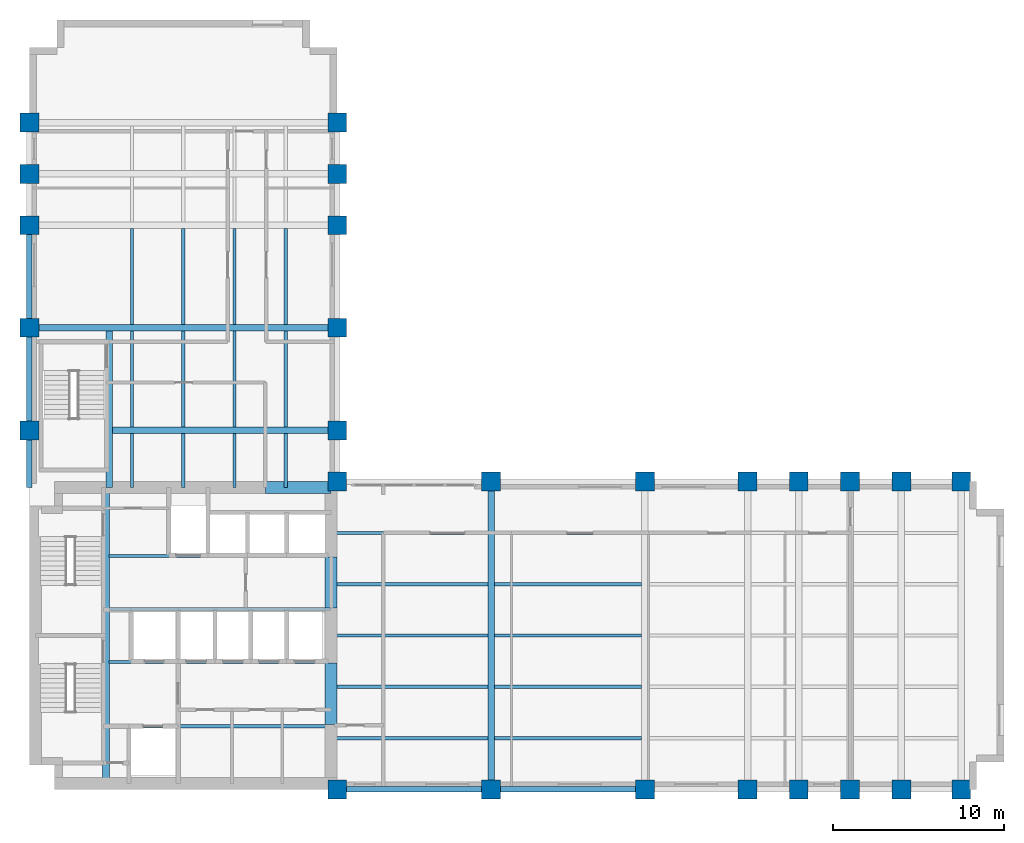
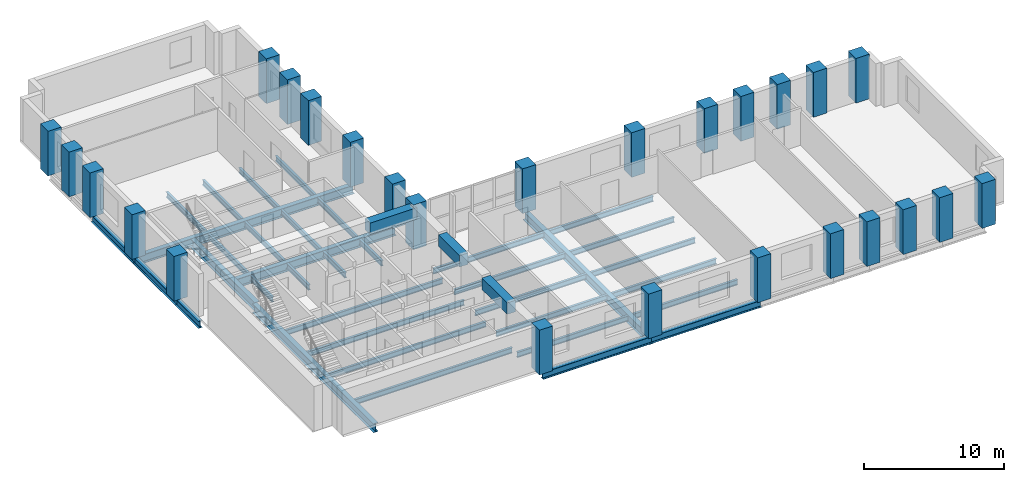
# One storey, part 1 of 8: 39 beams, 26 columns.
"""IFC4 building model written with IfcOpenShell, lengths in metres."""

from ifc_helpers import new_model, si_unit, direction, frame, origin, origin_2d, place, context, subcontext, project, spatial, rectangle, i_section, extrude, material, material_profile, profile_set, type_object, element, save


model = new_model("IFC4")

# Units and contexts
model_context = context("Model", 3, precision=1e-05, world=origin(), true_north=direction((0.0, 1.0)))
body_context = subcontext(model_context, "Body", "Model", "MODEL_VIEW")
ifc_project = project(units=[si_unit("LENGTHUNIT", "METRE"), si_unit("AREAUNIT", "SQUARE_METRE"), si_unit("VOLUMEUNIT", "CUBIC_METRE"), si_unit("PLANEANGLEUNIT", "RADIAN"), si_unit("MASSUNIT", "GRAM", prefix="KILO")], contexts=[model_context])

# Site, building, storey
site_placement = place(None, origin())
site = spatial("IfcSite", under=ifc_project, at=site_placement, CompositionType="ELEMENT")
building_placement = place(site_placement, origin())
building = spatial("IfcBuilding", under=site, at=building_placement, Name="Mawjdan Bourse Tower", CompositionType="ELEMENT")
storey_placement = place(building_placement, frame((0.0, 0.0, 101.10009765625)))
storey = spatial("IfcBuildingStorey", under=building, at=storey_placement, Name="L23", CompositionType="ELEMENT", Elevation=101.10009765625)

# Columns
ifc_material_1 = material(Name="Concrete C70/85", Category="concrete")
ifc_material_profile_1 = material_profile(ifc_material_1, rectangle(XDim=1.10009765625, YDim=1.10009765625, at=origin_2d()), Name="RC1100X1100")
ifc_profile_set_1 = profile_set([ifc_material_profile_1], Name="Concrete C70/85")
column_type = type_object("IfcColumnType", Name="COL-RC1100X1100", PredefinedType="COLUMN", material=ifc_profile_set_1)
for number, where, z_axis, x_axis, name in (
    (1, (24.0, 3.0, 0.0), (0.0, 0.0, 1.0), (1.0, 0.0, 0.0), "L23 Structural Column C-X240-Y30"),
    (2, (24.0, 21.0, 0.0), (0.0, 0.0, 1.0), (1.0, 0.0, 0.0), "L23 Structural Column C-X240-Y210"),
    (3, (33.0, 3.0, 0.0), (0.0, 0.0, 1.0), (1.0, 0.0, 0.0), "L23 Structural Column C-X330-Y30"),
    (4, (33.0, 21.0, 0.0), (0.0, 0.0, 1.0), (1.0, 0.0, 0.0), "L23 Structural Column C-X330-Y210"),
    (5, (42.0, 3.0, 0.0), (0.0, 0.0, 1.0), (1.0, 0.0, 0.0), "L23 Structural Column C-X420-Y30"),
    (6, (42.0, 21.0, 0.0), (0.0, 0.0, 1.0), (1.0, 0.0, 0.0), "L23 Structural Column C-X420-Y210"),
    (7, (48.0, 3.0, 0.0), (0.0, 0.0, 1.0), (1.0, 0.0, 0.0), "L23 Structural Column C-X480-Y30"),
    (8, (48.0, 21.0, 0.0), (0.0, 0.0, 1.0), (1.0, 0.0, 0.0), "L23 Structural Column C-X480-Y210"),
    (9, (51.0, 3.0, 0.0), (0.0, 0.0, 1.0), (1.0, 0.0, 0.0), "L23 Structural Column C-X510-Y30"),
    (10, (51.0, 21.0, 0.0), (0.0, 0.0, 1.0), (1.0, 0.0, 0.0), "L23 Structural Column C-X510-Y210"),
    (11, (54.0, 3.0, 0.0), (0.0, 0.0, 1.0), (1.0, 0.0, 0.0), "L23 Structural Column C-X540-Y30"),
    (12, (54.0, 21.0, 0.0), (0.0, 0.0, 1.0), (1.0, 0.0, 0.0), "L23 Structural Column C-X540-Y210"),
    (13, (57.0, 3.0, 0.0), (0.0, 0.0, 1.0), (1.0, 0.0, 0.0), "L23 Structural Column C-X570-Y30"),
    (14, (57.0, 21.0, 0.0), (0.0, 0.0, 1.0), (1.0, 0.0, 0.0), "L23 Structural Column C-X570-Y210"),
    (15, (60.5, 3.0, 0.0), (0.0, 0.0, 1.0), (1.0, 0.0, 0.0), "L23 Structural Column C-X605-Y30"),
    (16, (60.5, 21.0, 0.0), (0.0, 0.0, 1.0), (1.0, 0.0, 0.0), "L23 Structural Column C-X605-Y210"),
    (17, (6.0, 24.0, 0.0), (0.0, 0.0, 1.0), (1.0, 0.0, 0.0), "L23 Structural Column C-X60-Y240"),
    (18, (24.0, 24.0, 0.0), (0.0, 0.0, 1.0), (1.0, 0.0, 0.0), "L23 Structural Column C-X240-Y240"),
    (19, (6.0, 30.0, 0.0), (0.0, 0.0, 1.0), (1.0, 0.0, 0.0), "L23 Structural Column C-X60-Y300"),
    (20, (24.0, 30.0, 0.0), (0.0, 0.0, 1.0), (1.0, 0.0, 0.0), "L23 Structural Column C-X240-Y300"),
    (21, (6.0, 36.0, 0.0), (0.0, 0.0, 1.0), (1.0, 0.0, 0.0), "L23 Structural Column C-X60-Y360"),
    (22, (24.0, 36.0, 0.0), (0.0, 0.0, 1.0), (1.0, 0.0, 0.0), "L23 Structural Column C-X240-Y360"),
    (23, (6.0, 39.0, 0.0), (0.0, 0.0, 1.0), (1.0, 0.0, 0.0), "L23 Structural Column C-X60-Y390"),
    (24, (24.0, 39.0, 0.0), (0.0, 0.0, 1.0), (1.0, 0.0, 0.0), "L23 Structural Column C-X240-Y390"),
    (25, (6.0, 42.0, 0.0), (0.0, 0.0, 1.0), (1.0, 0.0, 0.0), "L23 Structural Column C-X60-Y420"),
    (26, (24.0, 42.0, 0.0), (0.0, 0.0, 1.0), (1.0, 0.0, 0.0), "L23 Structural Column C-X240-Y420"),
):
    element("IfcColumn", number, at=place(storey_placement, frame(where, z_axis=z_axis, x_axis=x_axis)), inside=storey, type_object=column_type, Name=name, PredefinedType="COLUMN", context=body_context, shape_type="SweptSolid", body=[
        extrude(rectangle(XDim=1.10009765625, YDim=1.10009765625, at=origin_2d()), origin(), (0.0, 0.0, 1.0), 3.89990234375),
    ])

# Beams
ifc_material_2 = material(Name="Structural Steel S355", Category="steel")
ifc_material_profile_2 = material_profile(ifc_material_2, i_section(OverallWidth=0.381103515625, OverallDepth=0.77294921875, WebThickness=0.0166015625, FlangeThickness=0.027099609375, FilletRadius=0.021728515625, at=origin_2d()), Name="W30X173")
ifc_profile_set_2 = profile_set([ifc_material_profile_2], Name="Structural Steel S355")
beam_type_1 = type_object("IfcBeamType", Name="GRD-W30X173", PredefinedType="BEAM", material=ifc_profile_set_2)
beam_1_placement = place(storey_placement, frame((10.47998046875, 3.35009765625, -0.586669921875), z_axis=(0.0, 1.0, 0.0), x_axis=(-1.0, 0.0, 0.0)))
element("IfcBeam", 27, at=beam_1_placement, inside=storey, type_object=beam_type_1, Name="L23 Core Stair Trimmer Girder 001", PredefinedType="BEAM", context=body_context, shape_type="SweptSolid", body=[
    extrude(i_section(OverallWidth=0.381103515625, OverallDepth=0.77294921875, WebThickness=0.0166015625, FlangeThickness=0.027099609375, FilletRadius=0.021728515625, at=origin_2d()), origin(), (0.0, 0.0, 1.0), 17.2998046875),
])
beam_2_placement = place(storey_placement, frame((33.0, 3.0, -0.586669921875), z_axis=(0.0, 1.0, 0.0), x_axis=(-1.0, 0.0, 0.0)))
element("IfcBeam", 28, at=beam_2_placement, inside=storey, type_object=beam_type_1, Name="L23 East Wing Clear-Span Girder 002", PredefinedType="BEAM", context=body_context, shape_type="SweptSolid", body=[
    extrude(i_section(OverallWidth=0.381103515625, OverallDepth=0.77294921875, WebThickness=0.0166015625, FlangeThickness=0.027099609375, FilletRadius=0.021728515625, at=origin_2d()), origin(), (0.0, 0.0, 1.0), 18.0),
])
beam_3_placement = place(storey_placement, frame((10.679931640625, 20.64990234375, -0.586669921875), z_axis=(0.0, 1.0, 0.0), x_axis=(-1.0, 0.0, 0.0)))
element("IfcBeam", 29, at=beam_3_placement, inside=storey, type_object=beam_type_1, Name="L23 North Wing Stair Trimmer Girder 062", PredefinedType="BEAM", context=body_context, shape_type="SweptSolid", body=[
    extrude(i_section(OverallWidth=0.381103515625, OverallDepth=0.77294921875, WebThickness=0.0166015625, FlangeThickness=0.027099609375, FilletRadius=0.021728515625, at=origin_2d()), origin(), (0.0, 0.0, 1.0), 9.16162109375),
])
beam_4_placement = place(storey_placement, frame((10.868408203125, 24.0, -0.586669921875), z_axis=(1.0, 0.0, 0.0), x_axis=(0.0, 1.0, 0.0)))
element("IfcBeam", 30, at=beam_4_placement, inside=storey, type_object=beam_type_1, Name="L23 North Wing Clear-Span Girder 063", PredefinedType="BEAM", context=body_context, shape_type="SweptSolid", body=[
    extrude(i_section(OverallWidth=0.381103515625, OverallDepth=0.77294921875, WebThickness=0.0166015625, FlangeThickness=0.027099609375, FilletRadius=0.021728515625, at=origin_2d()), origin(), (0.0, 0.0, 1.0), 13.131591796875),
])
beam_5_placement = place(storey_placement, frame((6.0, 30.0, -0.586669921875), z_axis=(1.0, 0.0, 0.0), x_axis=(0.0, 1.0, 0.0)))
element("IfcBeam", 31, at=beam_5_placement, inside=storey, type_object=beam_type_1, Name="L23 North Wing Clear-Span Girder 064", PredefinedType="BEAM", context=body_context, shape_type="SweptSolid", body=[
    extrude(i_section(OverallWidth=0.381103515625, OverallDepth=0.77294921875, WebThickness=0.0166015625, FlangeThickness=0.027099609375, FilletRadius=0.021728515625, at=origin_2d()), origin(), (0.0, 0.0, 1.0), 18.0),
])
ifc_material_profile_3 = material_profile(ifc_material_2, i_section(OverallWidth=0.19189453125, OverallDepth=0.462890625, WebThickness=0.010498046875, FlangeThickness=0.017578125, FilletRadius=0.01416015625, at=origin_2d()), Name="W18X60")
ifc_profile_set_3 = profile_set([ifc_material_profile_3], Name="Structural Steel S355")
beam_type_2 = type_object("IfcBeamType", Name="JST-W18X60", PredefinedType="JOIST", material=ifc_profile_set_3)
beam_6_placement = place(storey_placement, frame((23.64990234375, 6.0, -0.431640625), z_axis=(1.0, 0.0, 0.0), x_axis=(0.0, 1.0, 0.0)))
element("IfcBeam", 32, at=beam_6_placement, inside=storey, type_object=beam_type_2, Name="L23 East Wing Composite Joist 023", PredefinedType="JOIST", context=body_context, shape_type="SweptSolid", body=[
    extrude(i_section(OverallWidth=0.19189453125, OverallDepth=0.462890625, WebThickness=0.010498046875, FlangeThickness=0.017578125, FilletRadius=0.01416015625, at=origin_2d()), origin(), (0.0, 0.0, 1.0), 9.16162109375),
])
beam_7_placement = place(storey_placement, frame((33.1884765625, 6.0, -0.431640625), z_axis=(1.0, 0.0, 0.0), x_axis=(0.0, 1.0, 0.0)))
element("IfcBeam", 33, at=beam_7_placement, inside=storey, type_object=beam_type_2, Name="L23 East Wing Composite Joist 024", PredefinedType="JOIST", context=body_context, shape_type="SweptSolid", body=[
    extrude(i_section(OverallWidth=0.19189453125, OverallDepth=0.462890625, WebThickness=0.010498046875, FlangeThickness=0.017578125, FilletRadius=0.01416015625, at=origin_2d()), origin(), (0.0, 0.0, 1.0), 8.623046875),
])
beam_8_placement = place(storey_placement, frame((23.64990234375, 9.0, -0.431640625), z_axis=(1.0, 0.0, 0.0), x_axis=(0.0, 1.0, 0.0)))
element("IfcBeam", 34, at=beam_8_placement, inside=storey, type_object=beam_type_2, Name="L23 East Wing Composite Joist 030", PredefinedType="JOIST", context=body_context, shape_type="SweptSolid", body=[
    extrude(i_section(OverallWidth=0.19189453125, OverallDepth=0.462890625, WebThickness=0.010498046875, FlangeThickness=0.017578125, FilletRadius=0.01416015625, at=origin_2d()), origin(), (0.0, 0.0, 1.0), 9.16162109375),
])
beam_9_placement = place(storey_placement, frame((33.1884765625, 9.0, -0.431640625), z_axis=(1.0, 0.0, 0.0), x_axis=(0.0, 1.0, 0.0)))
element("IfcBeam", 35, at=beam_9_placement, inside=storey, type_object=beam_type_2, Name="L23 East Wing Composite Joist 031", PredefinedType="JOIST", context=body_context, shape_type="SweptSolid", body=[
    extrude(i_section(OverallWidth=0.19189453125, OverallDepth=0.462890625, WebThickness=0.010498046875, FlangeThickness=0.017578125, FilletRadius=0.01416015625, at=origin_2d()), origin(), (0.0, 0.0, 1.0), 8.623046875),
])
beam_10_placement = place(storey_placement, frame((23.64990234375, 12.0, -0.431640625), z_axis=(1.0, 0.0, 0.0), x_axis=(0.0, 1.0, 0.0)))
element("IfcBeam", 36, at=beam_10_placement, inside=storey, type_object=beam_type_2, Name="L23 East Wing Composite Joist 037", PredefinedType="JOIST", context=body_context, shape_type="SweptSolid", body=[
    extrude(i_section(OverallWidth=0.19189453125, OverallDepth=0.462890625, WebThickness=0.010498046875, FlangeThickness=0.017578125, FilletRadius=0.01416015625, at=origin_2d()), origin(), (0.0, 0.0, 1.0), 9.16162109375),
])
beam_11_placement = place(storey_placement, frame((33.1884765625, 12.0, -0.431640625), z_axis=(1.0, 0.0, 0.0), x_axis=(0.0, 1.0, 0.0)))
element("IfcBeam", 37, at=beam_11_placement, inside=storey, type_object=beam_type_2, Name="L23 East Wing Composite Joist 038", PredefinedType="JOIST", context=body_context, shape_type="SweptSolid", body=[
    extrude(i_section(OverallWidth=0.19189453125, OverallDepth=0.462890625, WebThickness=0.010498046875, FlangeThickness=0.017578125, FilletRadius=0.01416015625, at=origin_2d()), origin(), (0.0, 0.0, 1.0), 8.623046875),
])
beam_12_placement = place(storey_placement, frame((23.64990234375, 15.0, -0.431640625), z_axis=(1.0, 0.0, 0.0), x_axis=(0.0, 1.0, 0.0)))
element("IfcBeam", 38, at=beam_12_placement, inside=storey, type_object=beam_type_2, Name="L23 East Wing Composite Joist 044", PredefinedType="JOIST", context=body_context, shape_type="SweptSolid", body=[
    extrude(i_section(OverallWidth=0.19189453125, OverallDepth=0.462890625, WebThickness=0.010498046875, FlangeThickness=0.017578125, FilletRadius=0.01416015625, at=origin_2d()), origin(), (0.0, 0.0, 1.0), 9.16162109375),
])
beam_13_placement = place(storey_placement, frame((33.1884765625, 15.0, -0.431640625), z_axis=(1.0, 0.0, 0.0), x_axis=(0.0, 1.0, 0.0)))
element("IfcBeam", 39, at=beam_13_placement, inside=storey, type_object=beam_type_2, Name="L23 East Wing Composite Joist 045", PredefinedType="JOIST", context=body_context, shape_type="SweptSolid", body=[
    extrude(i_section(OverallWidth=0.19189453125, OverallDepth=0.462890625, WebThickness=0.010498046875, FlangeThickness=0.017578125, FilletRadius=0.01416015625, at=origin_2d()), origin(), (0.0, 0.0, 1.0), 8.623046875),
])
beam_14_placement = place(storey_placement, frame((23.64990234375, 18.0, -0.431640625), z_axis=(1.0, 0.0, 0.0), x_axis=(0.0, 1.0, 0.0)))
element("IfcBeam", 40, at=beam_14_placement, inside=storey, type_object=beam_type_2, Name="L23 East Wing Composite Joist 051", PredefinedType="JOIST", context=body_context, shape_type="SweptSolid", body=[
    extrude(i_section(OverallWidth=0.19189453125, OverallDepth=0.462890625, WebThickness=0.010498046875, FlangeThickness=0.017578125, FilletRadius=0.01416015625, at=origin_2d()), origin(), (0.0, 0.0, 1.0), 9.16162109375),
])
beam_15_placement = place(storey_placement, frame((33.1884765625, 18.0, -0.431640625), z_axis=(1.0, 0.0, 0.0), x_axis=(0.0, 1.0, 0.0)))
element("IfcBeam", 41, at=beam_15_placement, inside=storey, type_object=beam_type_2, Name="L23 East Wing Composite Joist 052", PredefinedType="JOIST", context=body_context, shape_type="SweptSolid", body=[
    extrude(i_section(OverallWidth=0.19189453125, OverallDepth=0.462890625, WebThickness=0.010498046875, FlangeThickness=0.017578125, FilletRadius=0.01416015625, at=origin_2d()), origin(), (0.0, 0.0, 1.0), 8.623046875),
])
for number, where, z_axis, x_axis, name in (
    (42, (10.66845703125, 6.699951171875, -0.431640625), (1.0, 0.0, 0.0), (0.0, 1.0, 0.0), "L23 Core Floor Joist 058"),
    (43, (10.66845703125, 10.449951171875, -0.431640625), (1.0, 0.0, 0.0), (0.0, 1.0, 0.0), "L23 Core Floor Joist 059"),
    (44, (10.66845703125, 13.550048828125, -0.431640625), (1.0, 0.0, 0.0), (0.0, 1.0, 0.0), "L23 Core Floor Joist 060"),
    (45, (10.66845703125, 16.64990234375, -0.431640625), (1.0, 0.0, 0.0), (0.0, 1.0, 0.0), "L23 Core Floor Joist 061"),
):
    element("IfcBeam", number, at=place(storey_placement, frame(where, z_axis=z_axis, x_axis=x_axis)), inside=storey, type_object=beam_type_2, Name=name, PredefinedType="JOIST", context=body_context, shape_type="SweptSolid", body=[
        extrude(i_section(OverallWidth=0.19189453125, OverallDepth=0.462890625, WebThickness=0.010498046875, FlangeThickness=0.017578125, FilletRadius=0.01416015625, at=origin_2d()), origin(), (0.0, 0.0, 1.0), 12.9814453125),
    ])
beam_16_placement = place(storey_placement, frame((12.0, 20.64990234375, -0.431640625), z_axis=(0.0, 1.0, 0.0), x_axis=(-1.0, 0.0, 0.0)))
element("IfcBeam", 46, at=beam_16_placement, inside=storey, type_object=beam_type_2, Name="L23 North Wing Composite Joist 078", PredefinedType="JOIST", context=body_context, shape_type="SweptSolid", body=[
    extrude(i_section(OverallWidth=0.19189453125, OverallDepth=0.462890625, WebThickness=0.010498046875, FlangeThickness=0.017578125, FilletRadius=0.01416015625, at=origin_2d()), origin(), (0.0, 0.0, 1.0), 3.16162109375),
])
for number, where, z_axis, x_axis, name in (
    (47, (12.0, 24.1884765625, -0.431640625), (0.0, 1.0, 0.0), (-1.0, 0.0, 0.0), "L23 North Wing Composite Joist 079"),
    (48, (12.0, 30.1884765625, -0.431640625), (0.0, 1.0, 0.0), (-1.0, 0.0, 0.0), "L23 North Wing Composite Joist 080"),
):
    element("IfcBeam", number, at=place(storey_placement, frame(where, z_axis=z_axis, x_axis=x_axis)), inside=storey, type_object=beam_type_2, Name=name, PredefinedType="JOIST", context=body_context, shape_type="SweptSolid", body=[
        extrude(i_section(OverallWidth=0.19189453125, OverallDepth=0.462890625, WebThickness=0.010498046875, FlangeThickness=0.017578125, FilletRadius=0.01416015625, at=origin_2d()), origin(), (0.0, 0.0, 1.0), 5.623046875),
    ])
beam_17_placement = place(storey_placement, frame((15.0, 20.64990234375, -0.431640625), z_axis=(0.0, 1.0, 0.0), x_axis=(-1.0, 0.0, 0.0)))
element("IfcBeam", 49, at=beam_17_placement, inside=storey, type_object=beam_type_2, Name="L23 North Wing Composite Joist 083", PredefinedType="JOIST", context=body_context, shape_type="SweptSolid", body=[
    extrude(i_section(OverallWidth=0.19189453125, OverallDepth=0.462890625, WebThickness=0.010498046875, FlangeThickness=0.017578125, FilletRadius=0.01416015625, at=origin_2d()), origin(), (0.0, 0.0, 1.0), 3.16162109375),
])
for number, where, z_axis, x_axis, name in (
    (50, (15.0, 24.1884765625, -0.431640625), (0.0, 1.0, 0.0), (-1.0, 0.0, 0.0), "L23 North Wing Composite Joist 084"),
    (51, (15.0, 30.1884765625, -0.431640625), (0.0, 1.0, 0.0), (-1.0, 0.0, 0.0), "L23 North Wing Composite Joist 085"),
):
    element("IfcBeam", number, at=place(storey_placement, frame(where, z_axis=z_axis, x_axis=x_axis)), inside=storey, type_object=beam_type_2, Name=name, PredefinedType="JOIST", context=body_context, shape_type="SweptSolid", body=[
        extrude(i_section(OverallWidth=0.19189453125, OverallDepth=0.462890625, WebThickness=0.010498046875, FlangeThickness=0.017578125, FilletRadius=0.01416015625, at=origin_2d()), origin(), (0.0, 0.0, 1.0), 5.623046875),
    ])
beam_18_placement = place(storey_placement, frame((18.0, 20.64990234375, -0.431640625), z_axis=(0.0, 1.0, 0.0), x_axis=(-1.0, 0.0, 0.0)))
element("IfcBeam", 52, at=beam_18_placement, inside=storey, type_object=beam_type_2, Name="L23 North Wing Composite Joist 088", PredefinedType="JOIST", context=body_context, shape_type="SweptSolid", body=[
    extrude(i_section(OverallWidth=0.19189453125, OverallDepth=0.462890625, WebThickness=0.010498046875, FlangeThickness=0.017578125, FilletRadius=0.01416015625, at=origin_2d()), origin(), (0.0, 0.0, 1.0), 3.16162109375),
])
for number, where, z_axis, x_axis, name in (
    (53, (18.0, 24.1884765625, -0.431640625), (0.0, 1.0, 0.0), (-1.0, 0.0, 0.0), "L23 North Wing Composite Joist 089"),
    (54, (18.0, 30.1884765625, -0.431640625), (0.0, 1.0, 0.0), (-1.0, 0.0, 0.0), "L23 North Wing Composite Joist 090"),
):
    element("IfcBeam", number, at=place(storey_placement, frame(where, z_axis=z_axis, x_axis=x_axis)), inside=storey, type_object=beam_type_2, Name=name, PredefinedType="JOIST", context=body_context, shape_type="SweptSolid", body=[
        extrude(i_section(OverallWidth=0.19189453125, OverallDepth=0.462890625, WebThickness=0.010498046875, FlangeThickness=0.017578125, FilletRadius=0.01416015625, at=origin_2d()), origin(), (0.0, 0.0, 1.0), 5.623046875),
    ])
beam_19_placement = place(storey_placement, frame((21.0, 20.64990234375, -0.431640625), z_axis=(0.0, 1.0, 0.0), x_axis=(-1.0, 0.0, 0.0)))
element("IfcBeam", 55, at=beam_19_placement, inside=storey, type_object=beam_type_2, Name="L23 North Wing Composite Joist 093", PredefinedType="JOIST", context=body_context, shape_type="SweptSolid", body=[
    extrude(i_section(OverallWidth=0.19189453125, OverallDepth=0.462890625, WebThickness=0.010498046875, FlangeThickness=0.017578125, FilletRadius=0.01416015625, at=origin_2d()), origin(), (0.0, 0.0, 1.0), 3.16162109375),
])
for number, where, z_axis, x_axis, name in (
    (56, (21.0, 24.1884765625, -0.431640625), (0.0, 1.0, 0.0), (-1.0, 0.0, 0.0), "L23 North Wing Composite Joist 094"),
    (57, (21.0, 30.1884765625, -0.431640625), (0.0, 1.0, 0.0), (-1.0, 0.0, 0.0), "L23 North Wing Composite Joist 095"),
):
    element("IfcBeam", number, at=place(storey_placement, frame(where, z_axis=z_axis, x_axis=x_axis)), inside=storey, type_object=beam_type_2, Name=name, PredefinedType="JOIST", context=body_context, shape_type="SweptSolid", body=[
        extrude(i_section(OverallWidth=0.19189453125, OverallDepth=0.462890625, WebThickness=0.010498046875, FlangeThickness=0.017578125, FilletRadius=0.01416015625, at=origin_2d()), origin(), (0.0, 0.0, 1.0), 5.623046875),
    ])
ifc_material_profile_4 = material_profile(ifc_material_1, rectangle(XDim=0.699951171875, YDim=1.0, at=origin_2d()), Name="RCB700X1000")
ifc_profile_set_4 = profile_set([ifc_material_profile_4], Name="Concrete C70/85")
beam_type_3 = type_object("IfcBeamType", Name="LNT-RCB700X1000", PredefinedType="LINTEL", material=ifc_profile_set_4)
beam_20_placement = place(storey_placement, frame((23.64990234375, 6.800048828125, 3.199951171875), z_axis=(0.0, 1.0, 0.0), x_axis=(-1.0, 0.0, 0.0)))
element("IfcBeam", 58, at=beam_20_placement, inside=storey, type_object=beam_type_3, Name="L23 Coupled Core Lintel CB-E1", PredefinedType="LINTEL", context=body_context, shape_type="SweptSolid", body=[
    extrude(rectangle(XDim=0.699951171875, YDim=1.0, at=origin_2d()), origin(), (0.0, 0.0, 1.0), 3.599853515625),
])
beam_21_placement = place(storey_placement, frame((23.64990234375, 13.60009765625, 3.199951171875), z_axis=(0.0, 1.0, 0.0), x_axis=(-1.0, 0.0, 0.0)))
element("IfcBeam", 59, at=beam_21_placement, inside=storey, type_object=beam_type_3, Name="L23 Coupled Core Lintel CB-E2", PredefinedType="LINTEL", context=body_context, shape_type="SweptSolid", body=[
    extrude(rectangle(XDim=0.699951171875, YDim=1.0, at=origin_2d()), origin(), (0.0, 0.0, 1.0), 3.0),
])
beam_22_placement = place(storey_placement, frame((19.800048828125, 20.64990234375, 3.199951171875), z_axis=(1.0, 0.0, 0.0), x_axis=(0.0, 1.0, 0.0)))
element("IfcBeam", 60, at=beam_22_placement, inside=storey, type_object=beam_type_3, Name="L23 Coupled Core Lintel CB-N1", PredefinedType="LINTEL", context=body_context, shape_type="SweptSolid", body=[
    extrude(rectangle(XDim=0.699951171875, YDim=1.0, at=origin_2d()), origin(), (0.0, 0.0, 1.0), 3.849853515625),
])
ifc_material_profile_5 = material_profile(ifc_material_2, i_section(OverallWidth=0.324951171875, OverallDepth=0.616943359375, WebThickness=0.013916015625, FlangeThickness=0.021484375, FilletRadius=0.017333984375, at=origin_2d()), Name="W24X117")
ifc_profile_set_5 = profile_set([ifc_material_profile_5], Name="Structural Steel S355")
beam_type_4 = type_object("IfcBeamType", Name="SPN-W24X117", PredefinedType="SPANDREL", material=ifc_profile_set_5)
for number, where, z_axis, x_axis, name in (
    (61, (24.0, 3.0, -0.508544921875), (1.0, 0.0, 0.0), (0.0, 1.0, 0.0), "L23 Perimeter Masonry-Shelf Spandrel 009"),
    (62, (33.0, 3.0, -0.508544921875), (1.0, 0.0, 0.0), (0.0, 1.0, 0.0), "L23 Perimeter Masonry-Shelf Spandrel 010"),
):
    element("IfcBeam", number, at=place(storey_placement, frame(where, z_axis=z_axis, x_axis=x_axis)), inside=storey, type_object=beam_type_4, Name=name, PredefinedType="SPANDREL", context=body_context, shape_type="SweptSolid", body=[
        extrude(i_section(OverallWidth=0.324951171875, OverallDepth=0.616943359375, WebThickness=0.013916015625, FlangeThickness=0.021484375, FilletRadius=0.017333984375, at=origin_2d()), origin(), (0.0, 0.0, 1.0), 9.0),
    ])
beam_23_placement = place(storey_placement, frame((6.0, 20.64990234375, -0.508544921875), z_axis=(0.0, 1.0, 0.0), x_axis=(-1.0, 0.0, 0.0)))
element("IfcBeam", 63, at=beam_23_placement, inside=storey, type_object=beam_type_4, Name="L23 North Wing Spandrel 068", PredefinedType="SPANDREL", context=body_context, shape_type="SweptSolid", body=[
    extrude(i_section(OverallWidth=0.324951171875, OverallDepth=0.616943359375, WebThickness=0.013916015625, FlangeThickness=0.021484375, FilletRadius=0.017333984375, at=origin_2d()), origin(), (0.0, 0.0, 1.0), 3.35009765625),
])
for number, where, z_axis, x_axis, name in (
    (64, (6.0, 24.0, -0.508544921875), (0.0, 1.0, 0.0), (-1.0, 0.0, 0.0), "L23 North Wing Spandrel 069"),
    (65, (6.0, 30.0, -0.508544921875), (0.0, 1.0, 0.0), (-1.0, 0.0, 0.0), "L23 North Wing Spandrel 070"),
):
    element("IfcBeam", number, at=place(storey_placement, frame(where, z_axis=z_axis, x_axis=x_axis)), inside=storey, type_object=beam_type_4, Name=name, PredefinedType="SPANDREL", context=body_context, shape_type="SweptSolid", body=[
        extrude(i_section(OverallWidth=0.324951171875, OverallDepth=0.616943359375, WebThickness=0.013916015625, FlangeThickness=0.021484375, FilletRadius=0.017333984375, at=origin_2d()), origin(), (0.0, 0.0, 1.0), 6.0),
    ])

save(model, "model.ifc")
